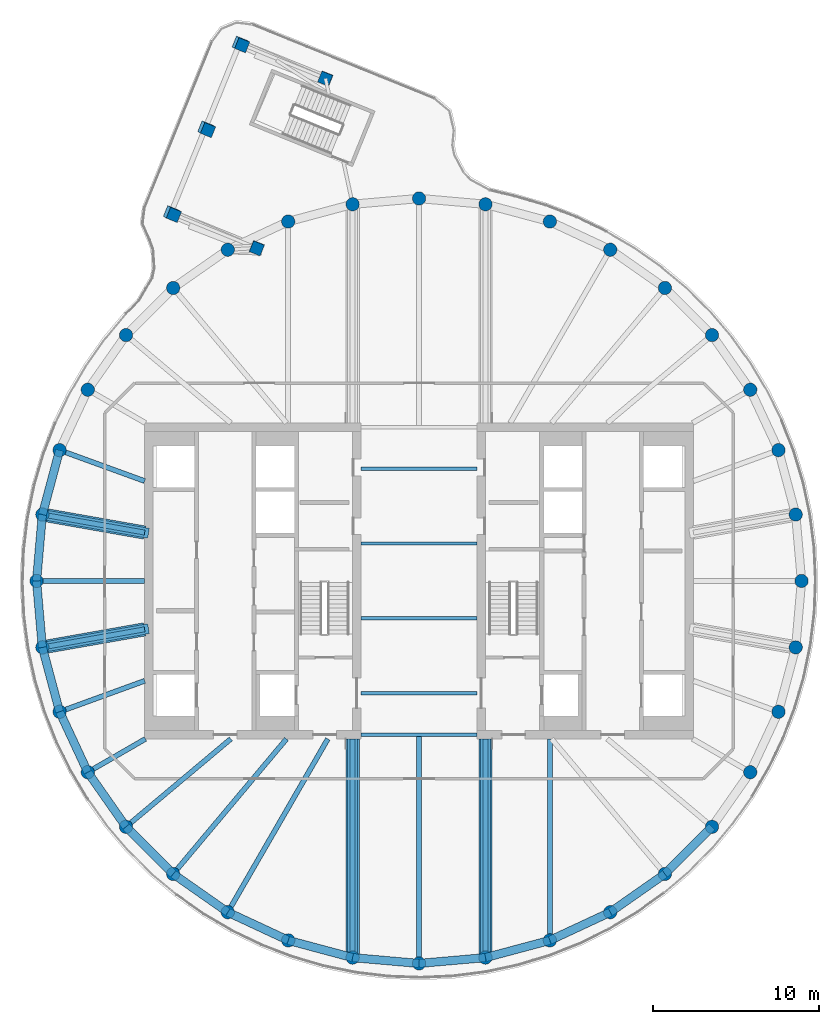
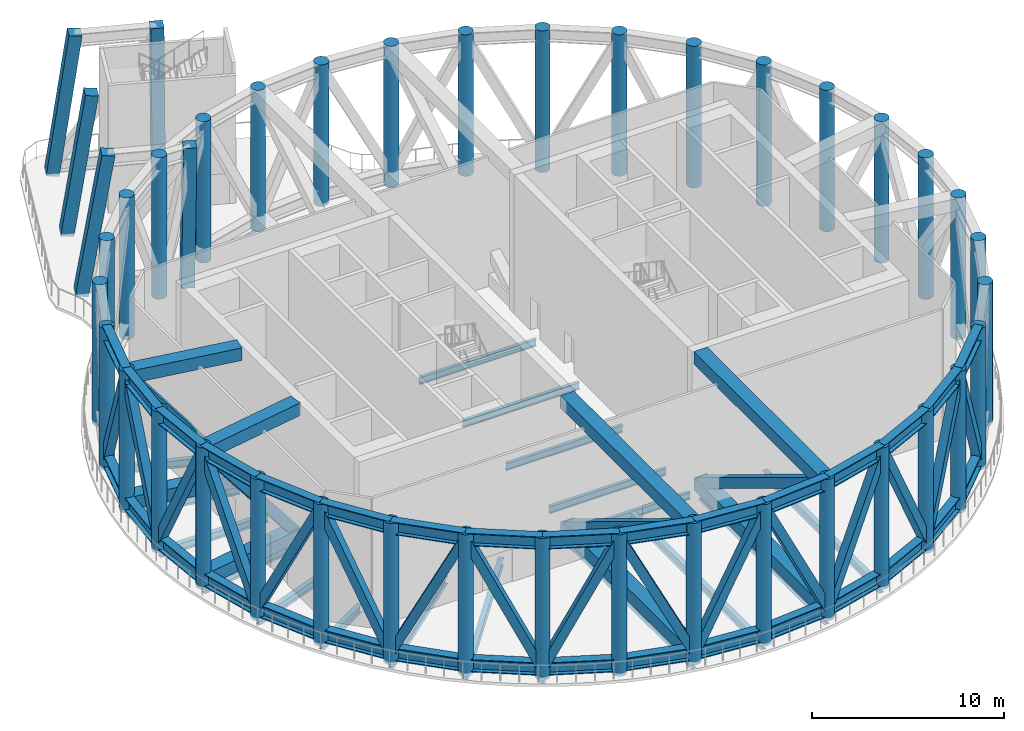
# One storey, part 1 of 10: 60 members, 41 columns, 18 beams.
"""IFC4 building model written with IfcOpenShell, lengths in metres."""

from ifc_helpers import new_model, si_unit, direction, frame, origin, origin_2d, place, context, subcontext, project, spatial, rectangle, hollow_rectangle, circle, i_section, extrude, material, material_profile, profile_set, type_object, element, save


model = new_model("IFC4")

# Units and contexts
model_context = context("Model", 3, precision=1e-05, world=origin(), true_north=direction((0.0, 1.0)))
body_context = subcontext(model_context, "Body", "Model", "MODEL_VIEW")
ifc_project = project(units=[si_unit("LENGTHUNIT", "METRE"), si_unit("AREAUNIT", "SQUARE_METRE"), si_unit("VOLUMEUNIT", "CUBIC_METRE"), si_unit("PLANEANGLEUNIT", "RADIAN"), si_unit("MASSUNIT", "GRAM", prefix="KILO")], contexts=[model_context])

# Site, building, storey
site_placement = place(None, origin())
site = spatial("IfcSite", under=ifc_project, at=site_placement, CompositionType="ELEMENT")
building_placement = place(site_placement, origin())
building = spatial("IfcBuilding", under=site, at=building_placement, Name="Tamarind Cross Interchange Tower", CompositionType="ELEMENT")
storey_placement = place(building_placement, frame((0.0, 0.0, 278.39990234375)))
storey = spatial("IfcBuildingStorey", under=building, at=storey_placement, Name="L71", CompositionType="ELEMENT", Elevation=278.39990234375)

# Columns
ifc_material_1 = material(Name="Concrete C45", Category="concrete")
ifc_material_profile_1 = material_profile(ifc_material_1, rectangle(XDim=0.699951171875, YDim=0.699951171875, at=origin_2d()), Name="RC 700x700")
ifc_profile_set_1 = profile_set([ifc_material_profile_1], Name="Concrete C45")
column_type_1 = type_object("IfcColumnType", Name="Column RC 700x700 Concrete C45", PredefinedType="COLUMN", material=ifc_profile_set_1)
column_1_placement = place(storey_placement, frame((-9.759033203125, 20.024658203125, -0.17138671875), z_axis=(0.004191101671, -0.01978526568, 0.999795468048), x_axis=(0.376141914846, 0.92641053953, 0.016756256835)))
element("IfcColumn", 1, at=column_1_placement, inside=storey, type_object=column_type_1, Name="Column L71-045", PredefinedType="COLUMN", context=body_context, shape_type="SweptSolid", body=[
    extrude(rectangle(XDim=0.699951171875, YDim=0.699951171875, at=origin_2d()), origin(), (0.0, 0.0, 1.0), 8.970947265625),
])
column_2_placement = place(storey_placement, frame((-5.622802734375, 30.21728515625, -0.17138671875), z_axis=(-0.016573455644, -0.011566040474, 0.999795752779), x_axis=(0.926555031654, -0.375998086086, 0.011009658329)))
element("IfcColumn", 2, at=column_2_placement, inside=storey, type_object=column_type_1, Name="Column L71-046", PredefinedType="COLUMN", context=body_context, shape_type="SweptSolid", body=[
    extrude(rectangle(XDim=0.699951171875, YDim=0.699951171875, at=origin_2d()), origin(), (0.0, 0.0, 1.0), 8.97119140625),
])
column_3_placement = place(storey_placement, frame((-10.7861328125, 32.312255859375, -0.16064453125), z_axis=(0.110072422086, -0.072165792683, 0.991300237195), x_axis=(0.377446589856, 0.925680808752, 0.025477678744)))
element("IfcColumn", 3, at=column_3_placement, inside=storey, type_object=column_type_1, Name="Column L71-047", PredefinedType="COLUMN", context=body_context, shape_type="SweptSolid", body=[
    extrude(rectangle(XDim=0.699951171875, YDim=0.699951171875, at=origin_2d()), origin(), (0.0, 0.0, 1.0), 9.0361328125),
])
column_4_placement = place(storey_placement, frame((-12.8544921875, 27.216064453125, -0.163818359375), z_axis=(0.120192612106, -0.076101312848, 0.989829442974), x_axis=(0.377445210883, 0.92568522047, 0.025337430521)))
element("IfcColumn", 4, at=column_4_placement, inside=storey, type_object=column_type_1, Name="Column L71-048", PredefinedType="COLUMN", context=body_context, shape_type="SweptSolid", body=[
    extrude(rectangle(XDim=0.699951171875, YDim=0.699951171875, at=origin_2d()), origin(), (0.0, 0.0, 1.0), 9.05322265625),
])
column_5_placement = place(storey_placement, frame((-14.9228515625, 22.119873046875, -0.166748046875), z_axis=(0.130258753187, -0.080039159499, 0.988244094424), x_axis=(0.377606515109, 0.925623300066, 0.025195756026)))
element("IfcColumn", 5, at=column_5_placement, inside=storey, type_object=column_type_1, Name="Column L71-049", PredefinedType="COLUMN", context=body_context, shape_type="SweptSolid", body=[
    extrude(rectangle(XDim=0.699951171875, YDim=0.699951171875, at=origin_2d()), origin(), (0.0, 0.0, 1.0), 9.071533203125),
])
ifc_material_profile_2 = material_profile(ifc_material_1, circle(Radius=0.39990234375, at=origin_2d()), Name="RC D800")
ifc_profile_set_2 = profile_set([ifc_material_profile_2], Name="Concrete C45")
column_type_2 = type_object("IfcColumnType", Name="Column RC D800 Concrete C45", PredefinedType="COLUMN", material=ifc_profile_set_2)
for number, where, z_axis, x_axis, name in (
    (6, (23.0, 0.0, -0.179931640625), (0.0, 0.0, 1.0), (1.0, 0.0, 0.0), "Column L71-000"),
    (7, (22.650634765625, 3.993896484375, -0.179931640625), (0.0, 0.0, 1.0), (1.0, 0.0, 0.0), "Column L71-001"),
    (8, (21.613037109375, 7.866455078125, -0.179931640625), (0.0, 0.0, 1.0), (1.0, 0.0, 0.0), "Column L71-002"),
    (9, (19.918701171875, 11.5, -0.179931640625), (0.0, 0.0, 1.0), (1.0, 0.0, 0.0), "Column L71-003"),
    (10, (17.619140625, 14.7841796875, -0.179931640625), (0.0, 0.0, 1.0), (1.0, 0.0, 0.0), "Column L71-004"),
    (11, (14.7841796875, 17.619140625, -0.179931640625), (0.0, 0.0, 1.0), (1.0, 0.0, 0.0), "Column L71-005"),
    (12, (11.5, 19.918701171875, -0.179931640625), (0.0, 0.0, 1.0), (1.0, 0.0, 0.0), "Column L71-006"),
    (13, (7.866455078125, 21.613037109375, -0.179931640625), (0.0, 0.0, 1.0), (1.0, 0.0, 0.0), "Column L71-007"),
    (14, (3.993896484375, 22.650634765625, -0.179931640625), (0.0, 0.0, 1.0), (1.0, 0.0, 0.0), "Column L71-008"),
    (15, (0.0, 23.0, -0.179931640625), (0.0, 0.0, 1.0), (1.0, 0.0, 0.0), "Column L71-009"),
    (16, (-3.993896484375, 22.650634765625, -0.179931640625), (0.0, 0.0, 1.0), (1.0, 0.0, 0.0), "Column L71-010"),
    (17, (-7.866455078125, 21.613037109375, -0.179931640625), (0.0, 0.0, 1.0), (1.0, 0.0, 0.0), "Column L71-011"),
    (18, (-11.5, 19.918701171875, -0.179931640625), (0.0, 0.0, 1.0), (1.0, 0.0, 0.0), "Column L71-012"),
    (19, (-14.7841796875, 17.619140625, -0.179931640625), (0.0, 0.0, 1.0), (1.0, 0.0, 0.0), "Column L71-013"),
    (20, (-17.619140625, 14.7841796875, -0.179931640625), (0.0, 0.0, 1.0), (1.0, 0.0, 0.0), "Column L71-014"),
    (21, (-19.918701171875, 11.5, -0.179931640625), (0.0, 0.0, 1.0), (1.0, 0.0, 0.0), "Column L71-015"),
    (22, (-21.613037109375, 7.866455078125, -0.179931640625), (0.0, 0.0, 1.0), (1.0, 0.0, 0.0), "Column L71-016"),
    (23, (-22.650634765625, 3.993896484375, -0.179931640625), (0.0, 0.0, 1.0), (1.0, 0.0, 0.0), "Column L71-017"),
    (24, (-23.0, 0.0, -0.179931640625), (0.0, 0.0, 1.0), (1.0, 0.0, 0.0), "Column L71-018"),
    (25, (-22.650634765625, -3.993896484375, -0.179931640625), (0.0, 0.0, 1.0), (1.0, 0.0, 0.0), "Column L71-019"),
    (26, (-21.613037109375, -7.866455078125, -0.179931640625), (0.0, 0.0, 1.0), (1.0, 0.0, 0.0), "Column L71-020"),
    (27, (-19.918701171875, -11.5, -0.179931640625), (0.0, 0.0, 1.0), (1.0, 0.0, 0.0), "Column L71-021"),
    (28, (-17.619140625, -14.7841796875, -0.179931640625), (0.0, 0.0, 1.0), (1.0, 0.0, 0.0), "Column L71-022"),
    (29, (-14.7841796875, -17.619140625, -0.179931640625), (0.0, 0.0, 1.0), (1.0, 0.0, 0.0), "Column L71-023"),
    (30, (-11.5, -19.918701171875, -0.179931640625), (0.0, 0.0, 1.0), (1.0, 0.0, 0.0), "Column L71-024"),
    (31, (-7.866455078125, -21.613037109375, -0.179931640625), (0.0, 0.0, 1.0), (1.0, 0.0, 0.0), "Column L71-025"),
    (32, (-3.993896484375, -22.650634765625, -0.179931640625), (0.0, 0.0, 1.0), (1.0, 0.0, 0.0), "Column L71-026"),
    (33, (0.0, -23.0, -0.179931640625), (0.0, 0.0, 1.0), (1.0, 0.0, 0.0), "Column L71-027"),
    (34, (3.993896484375, -22.650634765625, -0.179931640625), (0.0, 0.0, 1.0), (1.0, 0.0, 0.0), "Column L71-028"),
    (35, (7.866455078125, -21.613037109375, -0.179931640625), (0.0, 0.0, 1.0), (1.0, 0.0, 0.0), "Column L71-029"),
    (36, (11.5, -19.918701171875, -0.179931640625), (0.0, 0.0, 1.0), (1.0, 0.0, 0.0), "Column L71-030"),
    (37, (14.7841796875, -17.619140625, -0.179931640625), (0.0, 0.0, 1.0), (1.0, 0.0, 0.0), "Column L71-031"),
    (38, (17.619140625, -14.7841796875, -0.179931640625), (0.0, 0.0, 1.0), (1.0, 0.0, 0.0), "Column L71-032"),
    (39, (19.918701171875, -11.5, -0.179931640625), (0.0, 0.0, 1.0), (1.0, 0.0, 0.0), "Column L71-033"),
    (40, (21.613037109375, -7.866455078125, -0.179931640625), (0.0, 0.0, 1.0), (1.0, 0.0, 0.0), "Column L71-034"),
    (41, (22.650634765625, -3.993896484375, -0.179931640625), (0.0, 0.0, 1.0), (1.0, 0.0, 0.0), "Column L71-035"),
):
    element("IfcColumn", number, at=place(storey_placement, frame(where, z_axis=z_axis, x_axis=x_axis)), inside=storey, type_object=column_type_2, Name=name, PredefinedType="COLUMN", context=body_context, shape_type="SweptSolid", body=[
        extrude(circle(Radius=0.39990234375, at=origin_2d()), origin(), (0.0, 0.0, 1.0), 8.97998046875),
    ])

# Beams
ifc_material_2 = material(Name="Steel Q355B", Category="steel")
ifc_material_profile_3 = material_profile(ifc_material_2, i_section(OverallWidth=0.300048828125, OverallDepth=0.488037109375, WebThickness=0.010986328125, FlangeThickness=0.01806640625, FilletRadius=0.01806640625, at=origin_2d()), Name="HM 488x300x11x18")
ifc_profile_set_3 = profile_set([ifc_material_profile_3], Name="Steel Q355B")
beam_type_1 = type_object("IfcBeamType", Name="Composite beam HM 488x300x11x18 Q355B", PredefinedType="BEAM", material=ifc_profile_set_3)
beam_1_placement = place(storey_placement, frame((-21.613037109375, 7.866455078125, -0.423828125), z_axis=(0.939701685589, -0.341995236956, 0.0), x_axis=(0.341995236956, 0.939701685589, 0.0)))
element("IfcBeam", 42, at=beam_1_placement, inside=storey, type_object=beam_type_1, Name="Beam HH16", PredefinedType="BEAM", context=body_context, shape_type="SweptSolid", body=[
    extrude(i_section(OverallWidth=0.300048828125, OverallDepth=0.488037109375, WebThickness=0.010986328125, FlangeThickness=0.01806640625, FilletRadius=0.01806640625, at=origin_2d()), origin(), (0.0, 0.0, 1.0), 5.441162109375),
])
beam_2_placement = place(storey_placement, frame((-22.650634765625, 3.993896484375, -0.423828125), z_axis=(0.984809127561, -0.173640382036, 0.0), x_axis=(0.173640382036, 0.984809127561, 0.0)))
element("IfcBeam", 43, at=beam_2_placement, inside=storey, type_object=beam_type_1, Name="Beam HH17", PredefinedType="BEAM", context=body_context, shape_type="SweptSolid", body=[
    extrude(i_section(OverallWidth=0.300048828125, OverallDepth=0.488037109375, WebThickness=0.010986328125, FlangeThickness=0.01806640625, FilletRadius=0.01806640625, at=origin_2d()), origin(), (0.0, 0.0, 1.0), 6.24560546875),
])
beam_3_placement = place(storey_placement, frame((-23.0, 0.0, -0.423828125), z_axis=(1.0, 0.0, 0.0), x_axis=(0.0, 1.0, 0.0)))
element("IfcBeam", 44, at=beam_3_placement, inside=storey, type_object=beam_type_1, Name="Beam HH18", PredefinedType="BEAM", context=body_context, shape_type="SweptSolid", body=[
    extrude(i_section(OverallWidth=0.300048828125, OverallDepth=0.488037109375, WebThickness=0.010986328125, FlangeThickness=0.01806640625, FilletRadius=0.01806640625, at=origin_2d()), origin(), (0.0, 0.0, 1.0), 6.5),
])
beam_4_placement = place(storey_placement, frame((-22.650634765625, -3.993896484375, -0.423828125), z_axis=(0.984809127561, 0.173640382036, 0.0), x_axis=(-0.173640382036, 0.984809127561, 0.0)))
element("IfcBeam", 45, at=beam_4_placement, inside=storey, type_object=beam_type_1, Name="Beam HH19", PredefinedType="BEAM", context=body_context, shape_type="SweptSolid", body=[
    extrude(i_section(OverallWidth=0.300048828125, OverallDepth=0.488037109375, WebThickness=0.010986328125, FlangeThickness=0.01806640625, FilletRadius=0.01806640625, at=origin_2d()), origin(), (0.0, 0.0, 1.0), 6.24560546875),
])
beam_5_placement = place(storey_placement, frame((-21.613037109375, -7.866455078125, -0.423828125), z_axis=(0.939701685589, 0.341995236956, 0.0), x_axis=(-0.341995236956, 0.939701685589, 0.0)))
element("IfcBeam", 46, at=beam_5_placement, inside=storey, type_object=beam_type_1, Name="Beam HH20", PredefinedType="BEAM", context=body_context, shape_type="SweptSolid", body=[
    extrude(i_section(OverallWidth=0.300048828125, OverallDepth=0.488037109375, WebThickness=0.010986328125, FlangeThickness=0.01806640625, FilletRadius=0.01806640625, at=origin_2d()), origin(), (0.0, 0.0, 1.0), 5.441162109375),
])
beam_6_placement = place(storey_placement, frame((-19.918701171875, -11.5, -0.423828125), z_axis=(0.866026010844, 0.49999894854, 0.0), x_axis=(-0.49999894854, 0.866026010844, 0.0)))
element("IfcBeam", 47, at=beam_6_placement, inside=storey, type_object=beam_type_1, Name="Beam HH21", PredefinedType="BEAM", context=body_context, shape_type="SweptSolid", body=[
    extrude(i_section(OverallWidth=0.300048828125, OverallDepth=0.488037109375, WebThickness=0.010986328125, FlangeThickness=0.01806640625, FilletRadius=0.01806640625, at=origin_2d()), origin(), (0.0, 0.0, 1.0), 4.0),
])
beam_7_placement = place(storey_placement, frame((-17.619140625, -14.7841796875, -0.423828125), z_axis=(0.766040580814, 0.642792212574, 0.0), x_axis=(-0.642792212574, 0.766040580814, 0.0)))
element("IfcBeam", 48, at=beam_7_placement, inside=storey, type_object=beam_type_1, Name="Beam HH22", PredefinedType="BEAM", context=body_context, shape_type="SweptSolid", body=[
    extrude(i_section(OverallWidth=0.300048828125, OverallDepth=0.488037109375, WebThickness=0.010986328125, FlangeThickness=0.01806640625, FilletRadius=0.01806640625, at=origin_2d()), origin(), (0.0, 0.0, 1.0), 8.220703125),
])
beam_8_placement = place(storey_placement, frame((-14.7841796875, -17.619140625, -0.423828125), z_axis=(0.642786293979, 0.766045547127, 0.0), x_axis=(-0.766045547127, 0.642786293979, 0.0)))
element("IfcBeam", 49, at=beam_8_placement, inside=storey, type_object=beam_type_1, Name="Beam HH23", PredefinedType="BEAM", context=body_context, shape_type="SweptSolid", body=[
    extrude(i_section(OverallWidth=0.300048828125, OverallDepth=0.488037109375, WebThickness=0.010986328125, FlangeThickness=0.01806640625, FilletRadius=0.01806640625, at=origin_2d()), origin(), (0.0, 0.0, 1.0), 10.598876953125),
])
beam_9_placement = place(storey_placement, frame((-11.5, -19.918701171875, -0.423828125), z_axis=(0.499993565836, 0.866029118519, 0.0), x_axis=(-0.866029118519, 0.499993565836, 0.0)))
element("IfcBeam", 50, at=beam_9_placement, inside=storey, type_object=beam_type_1, Name="Beam HH24", PredefinedType="BEAM", context=body_context, shape_type="SweptSolid", body=[
    extrude(i_section(OverallWidth=0.300048828125, OverallDepth=0.488037109375, WebThickness=0.010986328125, FlangeThickness=0.01806640625, FilletRadius=0.01806640625, at=origin_2d()), origin(), (0.0, 0.0, 1.0), 12.030517578125),
])
beam_10_placement = place(storey_placement, frame((-3.993896484375, -22.650634765625, -0.423828125), z_axis=(0.0, 1.0, 0.0), x_axis=(-1.0, 0.0, 0.0)))
element("IfcBeam", 51, at=beam_10_placement, inside=storey, type_object=beam_type_1, Name="Beam HH26", PredefinedType="BEAM", context=body_context, shape_type="SweptSolid", body=[
    extrude(i_section(OverallWidth=0.300048828125, OverallDepth=0.488037109375, WebThickness=0.010986328125, FlangeThickness=0.01806640625, FilletRadius=0.01806640625, at=origin_2d()), origin(), (0.0, 0.0, 1.0), 13.150634765625),
])
beam_11_placement = place(storey_placement, frame((0.0, -23.0, -0.423828125), z_axis=(0.0, 1.0, 0.0), x_axis=(-1.0, 0.0, 0.0)))
element("IfcBeam", 52, at=beam_11_placement, inside=storey, type_object=beam_type_1, Name="Beam HH27", PredefinedType="BEAM", context=body_context, shape_type="SweptSolid", body=[
    extrude(i_section(OverallWidth=0.300048828125, OverallDepth=0.488037109375, WebThickness=0.010986328125, FlangeThickness=0.01806640625, FilletRadius=0.01806640625, at=origin_2d()), origin(), (0.0, 0.0, 1.0), 13.75),
])
beam_12_placement = place(storey_placement, frame((3.993896484375, -22.650634765625, -0.423828125), z_axis=(0.0, 1.0, 0.0), x_axis=(-1.0, 0.0, 0.0)))
element("IfcBeam", 53, at=beam_12_placement, inside=storey, type_object=beam_type_1, Name="Beam HH28", PredefinedType="BEAM", context=body_context, shape_type="SweptSolid", body=[
    extrude(i_section(OverallWidth=0.300048828125, OverallDepth=0.488037109375, WebThickness=0.010986328125, FlangeThickness=0.01806640625, FilletRadius=0.01806640625, at=origin_2d()), origin(), (0.0, 0.0, 1.0), 13.150634765625),
])
beam_13_placement = place(storey_placement, frame((7.866455078125, -21.613037109375, -0.423828125), z_axis=(0.0, 1.0, 0.0), x_axis=(-1.0, 0.0, 0.0)))
element("IfcBeam", 54, at=beam_13_placement, inside=storey, type_object=beam_type_1, Name="Beam HH29", PredefinedType="BEAM", context=body_context, shape_type="SweptSolid", body=[
    extrude(i_section(OverallWidth=0.300048828125, OverallDepth=0.488037109375, WebThickness=0.010986328125, FlangeThickness=0.01806640625, FilletRadius=0.01806640625, at=origin_2d()), origin(), (0.0, 0.0, 1.0), 12.113037109375),
])
ifc_material_profile_4 = material_profile(ifc_material_2, i_section(OverallWidth=0.198974609375, OverallDepth=0.446044921875, WebThickness=0.008056640625, FlangeThickness=0.011962890625, FilletRadius=0.012939453125, at=origin_2d()), Name="HN 446x199x8x12")
ifc_profile_set_4 = profile_set([ifc_material_profile_4], Name="Steel Q355B")
beam_type_2 = type_object("IfcBeamType", Name="Composite beam HN 446x199x8x12 Q355B", PredefinedType="BEAM", material=ifc_profile_set_4)
for number, where, z_axis, x_axis, name in (
    (55, (-3.5, -2.25, -0.40283203125), (1.0, 0.0, 0.0), (0.0, 1.0, 0.0), "Beam G-2.25"),
    (56, (-3.5, -6.75, -0.40283203125), (1.0, 0.0, 0.0), (0.0, 1.0, 0.0), "Beam G-6.75"),
    (57, (-3.5, -9.25, -0.40283203125), (1.0, 0.0, 0.0), (0.0, 1.0, 0.0), "Beam G-9.25"),
    (58, (-3.5, 2.25, -0.40283203125), (1.0, 0.0, 0.0), (0.0, 1.0, 0.0), "Beam G2.25"),
    (59, (-3.5, 6.75, -0.40283203125), (1.0, 0.0, 0.0), (0.0, 1.0, 0.0), "Beam G6.75"),
):
    element("IfcBeam", number, at=place(storey_placement, frame(where, z_axis=z_axis, x_axis=x_axis)), inside=storey, type_object=beam_type_2, Name=name, PredefinedType="BEAM", context=body_context, shape_type="SweptSolid", body=[
        extrude(i_section(OverallWidth=0.198974609375, OverallDepth=0.446044921875, WebThickness=0.008056640625, FlangeThickness=0.011962890625, FilletRadius=0.012939453125, at=origin_2d()), origin(), (0.0, 0.0, 1.0), 7.0),
    ])

# Members
ifc_material_3 = material(Name="Steel Q420B", Category="steel")
ifc_material_profile_5 = material_profile(ifc_material_3, i_section(OverallWidth=0.5, OverallDepth=0.800048828125, WebThickness=0.030029296875, FlangeThickness=0.050048828125, at=origin_2d()), Name="BH 800x500x30x50")
ifc_profile_set_5 = profile_set([ifc_material_profile_5], Name="Steel Q420B")
member_type_1 = type_object("IfcMemberType", Name="Truss chord BH 800x500x30x50 Q420B", PredefinedType="CHORD", material=ifc_profile_set_5)
for number, where, z_axis, x_axis, name in (
    (60, (-21.613037109375, 7.866455078125, 8.400146484375), (-0.258807108475, -0.96592902462, 0.0), (0.96592902462, -0.258807108475, 0.0), "Belt truss ring top H16"),
    (61, (-21.613037109375, 7.866455078125, 0.400146484375), (-0.258807108475, -0.96592902462, 0.0), (0.96592902462, -0.258807108475, 0.0), "Belt truss ring bottom H16"),
    (62, (-22.650634765625, 3.993896484375, 8.400146484375), (-0.087142021558, -0.996195898445, 0.0), (0.996195898445, -0.087142021558, 0.0), "Belt truss ring top H17"),
    (63, (-22.650634765625, 3.993896484375, 0.400146484375), (-0.087142021558, -0.996195898445, 0.0), (0.996195898445, -0.087142021558, 0.0), "Belt truss ring bottom H17"),
    (64, (-23.0, 0.0, 8.400146484375), (0.087142021558, -0.996195898445, 0.0), (0.996195898445, 0.087142021558, 0.0), "Belt truss ring top H18"),
    (65, (-23.0, 0.0, 0.400146484375), (0.087142021558, -0.996195898445, 0.0), (0.996195898445, 0.087142021558, 0.0), "Belt truss ring bottom H18"),
    (66, (-22.650634765625, -3.993896484375, 8.400146484375), (0.258807108475, -0.96592902462, 0.0), (0.96592902462, 0.258807108475, 0.0), "Belt truss ring top H19"),
    (67, (-22.650634765625, -3.993896484375, 0.400146484375), (0.258807108475, -0.96592902462, 0.0), (0.96592902462, 0.258807108475, 0.0), "Belt truss ring bottom H19"),
):
    element("IfcMember", number, at=place(storey_placement, frame(where, z_axis=z_axis, x_axis=x_axis)), inside=storey, type_object=member_type_1, Name=name, PredefinedType="CHORD", context=body_context, shape_type="SweptSolid", body=[
        extrude(i_section(OverallWidth=0.5, OverallDepth=0.800048828125, WebThickness=0.030029296875, FlangeThickness=0.050048828125, at=origin_2d()), origin(), (0.0, 0.0, 1.0), 4.009033203125),
    ])
for number, where, z_axis, x_axis, name in (
    (68, (-21.613037109375, -7.866455078125, 8.400146484375), (0.422615416827, -0.906309113636, 0.0), (0.906309113636, 0.422615416827, 0.0), "Belt truss ring top H20"),
    (69, (-21.613037109375, -7.866455078125, 0.400146484375), (0.422615416827, -0.906309113636, 0.0), (0.906309113636, 0.422615416827, 0.0), "Belt truss ring bottom H20"),
    (70, (-19.918701171875, -11.5, 8.400146484375), (0.573568599011, -0.819157531998, 0.0), (0.819157531998, 0.573568599011, 0.0), "Belt truss ring top H21"),
    (71, (-19.918701171875, -11.5, 0.400146484375), (0.573568599011, -0.819157531998, 0.0), (0.819157531998, 0.573568599011, 0.0), "Belt truss ring bottom H21"),
    (72, (-17.619140625, -14.7841796875, 8.400146484375), (0.707106781187, -0.707106781187, 0.0), (0.707106781187, 0.707106781187, 0.0), "Belt truss ring top H22"),
    (73, (-17.619140625, -14.7841796875, 0.400146484375), (0.707106781187, -0.707106781187, 0.0), (0.707106781187, 0.707106781187, 0.0), "Belt truss ring bottom H22"),
    (74, (-14.7841796875, -17.619140625, 8.400146484375), (0.819157531998, -0.573568599011, 0.0), (0.573568599011, 0.819157531998, 0.0), "Belt truss ring top H23"),
    (75, (-14.7841796875, -17.619140625, 0.400146484375), (0.819157531998, -0.573568599011, 0.0), (0.573568599011, 0.819157531998, 0.0), "Belt truss ring bottom H23"),
    (76, (-11.5, -19.918701171875, 8.400146484375), (0.906309113636, -0.422615416827, 0.0), (0.422615416827, 0.906309113636, 0.0), "Belt truss ring top H24"),
    (77, (-11.5, -19.918701171875, 0.400146484375), (0.906309113636, -0.422615416827, 0.0), (0.422615416827, 0.906309113636, 0.0), "Belt truss ring bottom H24"),
):
    element("IfcMember", number, at=place(storey_placement, frame(where, z_axis=z_axis, x_axis=x_axis)), inside=storey, type_object=member_type_1, Name=name, PredefinedType="CHORD", context=body_context, shape_type="SweptSolid", body=[
        extrude(i_section(OverallWidth=0.5, OverallDepth=0.800048828125, WebThickness=0.030029296875, FlangeThickness=0.050048828125, at=origin_2d()), origin(), (0.0, 0.0, 1.0), 4.00927734375),
    ])
for number, where, z_axis, x_axis, name in (
    (78, (-7.866455078125, -21.613037109375, 8.400146484375), (0.96592902462, -0.258807108475, 0.0), (0.258807108475, 0.96592902462, 0.0), "Belt truss ring top H25"),
    (79, (-7.866455078125, -21.613037109375, 0.400146484375), (0.96592902462, -0.258807108475, 0.0), (0.258807108475, 0.96592902462, 0.0), "Belt truss ring bottom H25"),
    (80, (-3.993896484375, -22.650634765625, 8.400146484375), (0.996195898445, -0.087142021558, 0.0), (0.087142021558, 0.996195898445, 0.0), "Belt truss ring top H26"),
    (81, (-3.993896484375, -22.650634765625, 0.400146484375), (0.996195898445, -0.087142021558, 0.0), (0.087142021558, 0.996195898445, 0.0), "Belt truss ring bottom H26"),
    (82, (0.0, -23.0, 8.400146484375), (0.996195898445, 0.087142021558, 0.0), (-0.087142021558, 0.996195898445, 0.0), "Belt truss ring top H27"),
    (83, (0.0, -23.0, 0.400146484375), (0.996195898445, 0.087142021558, 0.0), (-0.087142021558, 0.996195898445, 0.0), "Belt truss ring bottom H27"),
    (84, (3.993896484375, -22.650634765625, 8.400146484375), (0.96592902462, 0.258807108475, 0.0), (-0.258807108475, 0.96592902462, 0.0), "Belt truss ring top H28"),
    (85, (3.993896484375, -22.650634765625, 0.400146484375), (0.96592902462, 0.258807108475, 0.0), (-0.258807108475, 0.96592902462, 0.0), "Belt truss ring bottom H28"),
):
    element("IfcMember", number, at=place(storey_placement, frame(where, z_axis=z_axis, x_axis=x_axis)), inside=storey, type_object=member_type_1, Name=name, PredefinedType="CHORD", context=body_context, shape_type="SweptSolid", body=[
        extrude(i_section(OverallWidth=0.5, OverallDepth=0.800048828125, WebThickness=0.030029296875, FlangeThickness=0.050048828125, at=origin_2d()), origin(), (0.0, 0.0, 1.0), 4.009033203125),
    ])
for number, where, z_axis, x_axis, name in (
    (86, (7.866455078125, -21.613037109375, 8.400146484375), (0.906309113636, 0.422615416827, 0.0), (-0.422615416827, 0.906309113636, 0.0), "Belt truss ring top H29"),
    (87, (7.866455078125, -21.613037109375, 0.400146484375), (0.906309113636, 0.422615416827, 0.0), (-0.422615416827, 0.906309113636, 0.0), "Belt truss ring bottom H29"),
    (88, (11.5, -19.918701171875, 8.400146484375), (0.819157531998, 0.573568599011, 0.0), (-0.573568599011, 0.819157531998, 0.0), "Belt truss ring top H30"),
    (89, (11.5, -19.918701171875, 0.400146484375), (0.819157531998, 0.573568599011, 0.0), (-0.573568599011, 0.819157531998, 0.0), "Belt truss ring bottom H30"),
    (90, (14.7841796875, -17.619140625, 8.400146484375), (0.707106781187, 0.707106781187, 0.0), (-0.707106781187, 0.707106781187, 0.0), "Belt truss ring top H31"),
    (91, (14.7841796875, -17.619140625, 0.400146484375), (0.707106781187, 0.707106781187, 0.0), (-0.707106781187, 0.707106781187, 0.0), "Belt truss ring bottom H31"),
):
    element("IfcMember", number, at=place(storey_placement, frame(where, z_axis=z_axis, x_axis=x_axis)), inside=storey, type_object=member_type_1, Name=name, PredefinedType="CHORD", context=body_context, shape_type="SweptSolid", body=[
        extrude(i_section(OverallWidth=0.5, OverallDepth=0.800048828125, WebThickness=0.030029296875, FlangeThickness=0.050048828125, at=origin_2d()), origin(), (0.0, 0.0, 1.0), 4.00927734375),
    ])
ifc_material_profile_6 = material_profile(ifc_material_3, hollow_rectangle(XDim=0.800048828125, YDim=0.800048828125, WallThickness=0.050048828125, at=origin_2d()), Name="BOX 800x800x50")
ifc_profile_set_6 = profile_set([ifc_material_profile_6], Name="Steel Q420B")
member_type_2 = type_object("IfcMemberType", Name="Truss chord BOX 800x800x50 Q420B", PredefinedType="CHORD", material=ifc_profile_set_6)
for number, where, z_axis, x_axis, name in (
    (92, (-16.5, 2.909423828125, 8.400146484375), (-0.984809127561, 0.173640382036, 0.0), (-0.173640382036, -0.984809127561, 0.0), "Outrigger truss H17 top"),
    (93, (-16.5, 2.909423828125, 0.400146484375), (-0.984809127561, 0.173640382036, 0.0), (-0.173640382036, -0.984809127561, 0.0), "Outrigger truss H17 bottom"),
    (94, (-16.5, -2.909423828125, 8.400146484375), (-0.984809127561, -0.173640382036, 0.0), (0.173640382036, -0.984809127561, 0.0), "Outrigger truss H19 top"),
    (95, (-16.5, -2.909423828125, 0.400146484375), (-0.984809127561, -0.173640382036, 0.0), (0.173640382036, -0.984809127561, 0.0), "Outrigger truss H19 bottom"),
):
    element("IfcMember", number, at=place(storey_placement, frame(where, z_axis=z_axis, x_axis=x_axis)), inside=storey, type_object=member_type_2, Name=name, PredefinedType="CHORD", context=body_context, shape_type="SweptSolid", body=[
        extrude(hollow_rectangle(XDim=0.800048828125, YDim=0.800048828125, WallThickness=0.050048828125, at=origin_2d()), origin(), (0.0, 0.0, 1.0), 6.24560546875),
    ])
for number, where, z_axis, x_axis, name in (
    (96, (-3.993896484375, -9.5, 8.400146484375), (0.0, -1.0, 0.0), (1.0, 0.0, 0.0), "Outrigger truss H26 top"),
    (97, (-3.993896484375, -9.5, 0.400146484375), (0.0, -1.0, 0.0), (1.0, 0.0, 0.0), "Outrigger truss H26 bottom"),
    (98, (3.993896484375, -9.5, 8.400146484375), (0.0, -1.0, 0.0), (1.0, 0.0, 0.0), "Outrigger truss H28 top"),
    (99, (3.993896484375, -9.5, 0.400146484375), (0.0, -1.0, 0.0), (1.0, 0.0, 0.0), "Outrigger truss H28 bottom"),
):
    element("IfcMember", number, at=place(storey_placement, frame(where, z_axis=z_axis, x_axis=x_axis)), inside=storey, type_object=member_type_2, Name=name, PredefinedType="CHORD", context=body_context, shape_type="SweptSolid", body=[
        extrude(hollow_rectangle(XDim=0.800048828125, YDim=0.800048828125, WallThickness=0.050048828125, at=origin_2d()), origin(), (0.0, 0.0, 1.0), 13.150634765625),
    ])
ifc_material_profile_7 = material_profile(ifc_material_3, hollow_rectangle(XDim=0.5, YDim=0.5, WallThickness=0.030029296875, at=origin_2d()), Name="BOX 500x500x30")
ifc_profile_set_7 = profile_set([ifc_material_profile_7], Name="Steel Q420B")
member_type_3 = type_object("IfcMemberType", Name="Truss diagonal BOX 500x500x30 Q420B", PredefinedType="BRACE", material=ifc_profile_set_7)
for number, where, z_axis, x_axis, name in (
    (100, (-21.613037109375, 7.866455078125, 0.400146484375), (-0.115953821718, -0.432766945905, 0.894017607075), (0.96592902462, -0.258807108475, 0.0), "Belt truss ring diagonal H16"),
    (101, (-22.650634765625, 3.993896484375, 8.400146484375), (-0.039042346961, -0.446326872071, -0.894017907209), (0.996195898445, -0.087142021558, 0.0), "Belt truss ring diagonal H17"),
    (102, (-23.0, 0.0, 0.400146484375), (0.039042346961, -0.446326872071, 0.894017907209), (0.996195898445, 0.087142021558, 0.0), "Belt truss ring diagonal H18"),
    (103, (-22.650634765625, -3.993896484375, 8.400146484375), (0.115953821718, -0.432766945905, -0.894017607075), (0.96592902462, 0.258807108475, 0.0), "Belt truss ring diagonal H19"),
    (104, (-21.613037109375, -7.866455078125, 0.400146484375), (0.189345647079, -0.406056378311, 0.89401702644), (0.906309113636, 0.422615416827, 0.0), "Belt truss ring diagonal H20"),
    (105, (-19.918701171875, -11.5, 8.400146484375), (0.25698015632, -0.367013171549, -0.894014838337), (0.819157531998, 0.573568599011, 0.0), "Belt truss ring diagonal H21"),
    (106, (-17.619140625, -14.7841796875, 0.400146484375), (0.316811762996, -0.316811762996, 0.89401376592), (0.707106781187, 0.707106781187, 0.0), "Belt truss ring diagonal H22"),
    (107, (-14.7841796875, -17.619140625, 8.400146484375), (0.367013171549, -0.25698015632, -0.894014838337), (0.573568599011, 0.819157531998, 0.0), "Belt truss ring diagonal H23"),
    (108, (-11.5, -19.918701171875, 0.400146484375), (0.406056378311, -0.189345647079, 0.89401702644), (0.422615416827, 0.906309113636, 0.0), "Belt truss ring diagonal H24"),
    (109, (-7.866455078125, -21.613037109375, 8.400146484375), (0.432766945905, -0.115953821718, -0.894017607075), (0.258807108475, 0.96592902462, 0.0), "Belt truss ring diagonal H25"),
    (110, (-3.993896484375, -22.650634765625, 0.400146484375), (0.446326872071, -0.039042346961, 0.894017907209), (0.087142021558, 0.996195898445, 0.0), "Belt truss ring diagonal H26"),
    (111, (0.0, -23.0, 8.400146484375), (0.446326872071, 0.039042346961, -0.894017907209), (-0.087142021558, 0.996195898445, 0.0), "Belt truss ring diagonal H27"),
    (112, (3.993896484375, -22.650634765625, 0.400146484375), (0.432766945905, 0.115953821718, 0.894017607075), (-0.258807108475, 0.96592902462, 0.0), "Belt truss ring diagonal H28"),
    (113, (7.866455078125, -21.613037109375, 8.400146484375), (0.406056378311, 0.189345647079, -0.89401702644), (-0.422615416827, 0.906309113636, 0.0), "Belt truss ring diagonal H29"),
    (114, (11.5, -19.918701171875, 0.400146484375), (0.367013171549, 0.25698015632, 0.894014838337), (-0.573568599011, 0.819157531998, 0.0), "Belt truss ring diagonal H30"),
    (115, (14.7841796875, -17.619140625, 8.400146484375), (0.316811762996, 0.316811762996, -0.89401376592), (-0.707106781187, 0.707106781187, 0.0), "Belt truss ring diagonal H31"),
):
    element("IfcMember", number, at=place(storey_placement, frame(where, z_axis=z_axis, x_axis=x_axis)), inside=storey, type_object=member_type_3, Name=name, PredefinedType="BRACE", context=body_context, shape_type="SweptSolid", body=[
        extrude(hollow_rectangle(XDim=0.5, YDim=0.5, WallThickness=0.030029296875, at=origin_2d()), origin(), (0.0, 0.0, 1.0), 8.948486328125),
    ])
ifc_material_profile_8 = material_profile(ifc_material_3, hollow_rectangle(XDim=0.60009765625, YDim=0.60009765625, WallThickness=0.0400390625, at=origin_2d()), Name="BOX 600x600x40")
ifc_profile_set_8 = profile_set([ifc_material_profile_8], Name="Steel Q420B")
member_type_4 = type_object("IfcMemberType", Name="Truss diagonal BOX 600x600x40 Q420B", PredefinedType="BRACE", material=ifc_profile_set_8)
for number, where, z_axis, x_axis, name in (
    (116, (-16.5, 2.909423828125, 0.400146484375), (-0.606021256305, 0.106852952031, 0.788238976167), (-0.173640382036, -0.984809127561, 0.0), "Outrigger truss H17 diagonal"),
    (117, (-16.5, -2.909423828125, 0.400146484375), (-0.606021256305, -0.106852952031, 0.788238976167), (0.173640382036, -0.984809127561, 0.0), "Outrigger truss H19 diagonal"),
):
    element("IfcMember", number, at=place(storey_placement, frame(where, z_axis=z_axis, x_axis=x_axis)), inside=storey, type_object=member_type_4, Name=name, PredefinedType="BRACE", context=body_context, shape_type="SweptSolid", body=[
        extrude(hollow_rectangle(XDim=0.60009765625, YDim=0.60009765625, WallThickness=0.0400390625, at=origin_2d()), origin(), (0.0, 0.0, 1.0), 10.149169921875),
    ])
for number, where, z_axis, x_axis, name in (
    (118, (-3.993896484375, -9.5, 0.400146484375), (0.0, -0.854335124811, 0.519722516844), (1.0, 0.0, 0.0), "Outrigger truss H26 diagonal"),
    (119, (3.993896484375, -9.5, 0.400146484375), (0.0, -0.854335124811, 0.519722516844), (1.0, 0.0, 0.0), "Outrigger truss H28 diagonal"),
):
    element("IfcMember", number, at=place(storey_placement, frame(where, z_axis=z_axis, x_axis=x_axis)), inside=storey, type_object=member_type_4, Name=name, PredefinedType="BRACE", context=body_context, shape_type="SweptSolid", body=[
        extrude(hollow_rectangle(XDim=0.60009765625, YDim=0.60009765625, WallThickness=0.0400390625, at=origin_2d()), origin(), (0.0, 0.0, 1.0), 15.392822265625),
    ])

save(model, "model.ifc")
